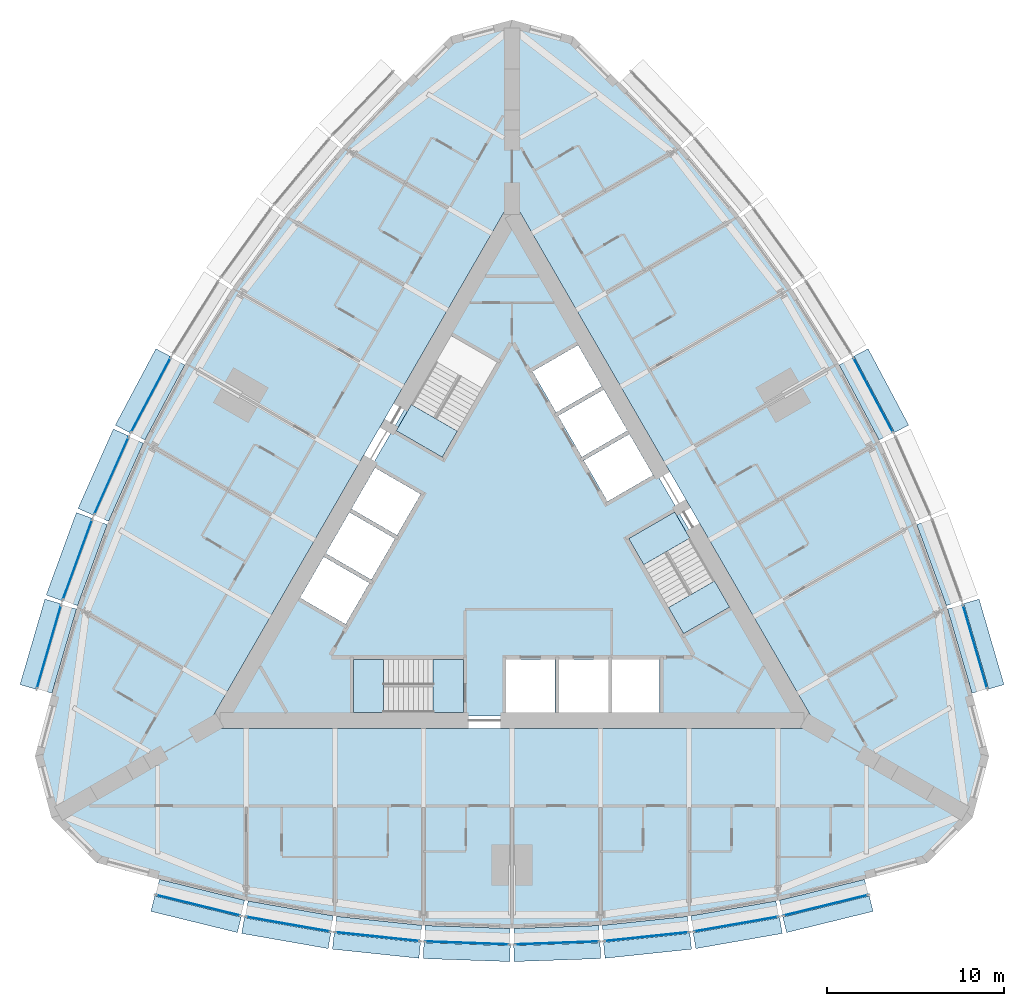
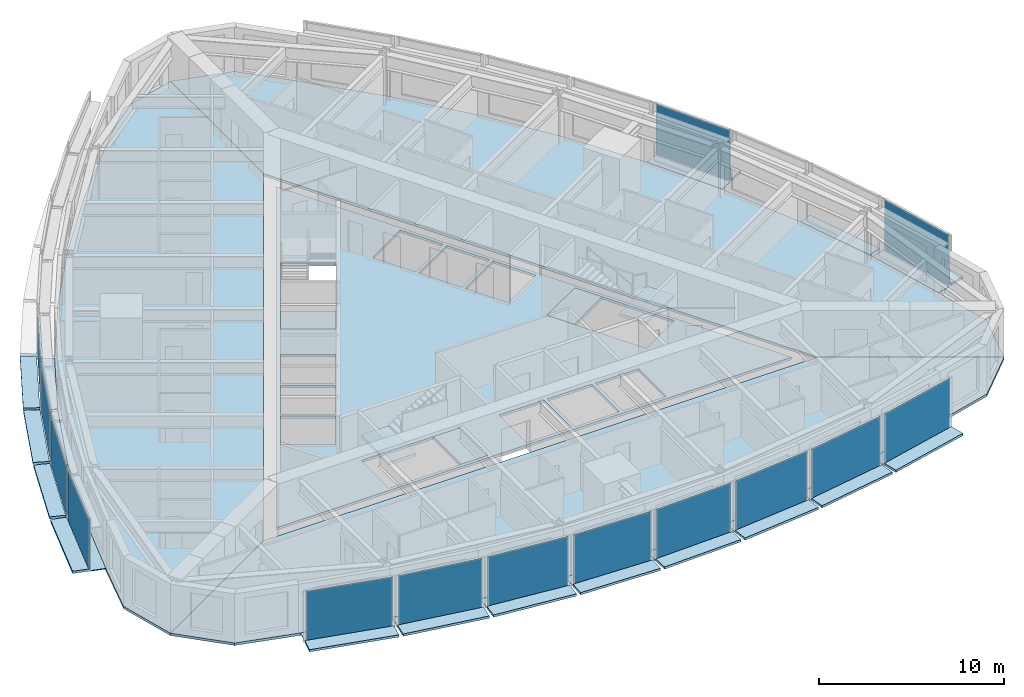
# One storey, part 6 of 14: 43 plates, 9 slabs, 17 elements without a shape of their own.
"""IFC4 building model written with IfcOpenShell, lengths in metres."""

from ifc_helpers import new_model, si_unit, direction, frame, origin, origin_2d, place, context, subcontext, project, spatial, polyline, rectangle, outline, extrude, material, layer, layer_set, type_object, element, aggregate, save


model = new_model("IFC4")

# Units and contexts
model_context = context("Model", 3, precision=1e-05, world=origin(), true_north=direction((0.0, 1.0)))
body_context = subcontext(model_context, "Body", "Model", "MODEL_VIEW")
ifc_project = project(units=[si_unit("LENGTHUNIT", "METRE"), si_unit("AREAUNIT", "SQUARE_METRE"), si_unit("VOLUMEUNIT", "CUBIC_METRE"), si_unit("PLANEANGLEUNIT", "RADIAN"), si_unit("MASSUNIT", "GRAM", prefix="KILO")], contexts=[model_context])

# Site, building, storey
site_placement = place(None, origin())
site = spatial("IfcSite", under=ifc_project, at=site_placement, CompositionType="ELEMENT")
building_placement = place(site_placement, origin())
building = spatial("IfcBuilding", under=site, at=building_placement, Name="Trikona Tower", CompositionType="ELEMENT")
storey_placement = place(building_placement, frame((0.0, 0.0, 145.300048828125)))
storey = spatial("IfcBuildingStorey", under=building, at=storey_placement, Name="L38", CompositionType="ELEMENT", Elevation=145.300048828125)

# Plates
ifc_material_1 = material(Name="Aluminium bar grating", Category="aluminium")
ifc_layer_1 = layer(ifc_material_1, 0.050048828125)
ifc_layer_set_1 = layer_set([ifc_layer_1], Name="Cavity catwalk grating")
plate_type_1 = type_object("IfcPlateType", Name="Cavity catwalk grating", PredefinedType="USERDEFINED", material=ifc_layer_set_1)
plate_1_placement = place(storey_placement, frame((-17.598876953125, -19.49072265625, -0.05029296875), z_axis=(0.0, 0.0, 1.0), x_axis=(0.971274411564, -0.237962218516, 0.0)))
element("IfcPlate", 1, at=plate_1_placement, inside=storey, type_object=plate_type_1, Name="Cavity catwalk L38-00", ObjectType="CATWALK GRATING", PredefinedType="USERDEFINED", context=body_context, shape_type="SweptSolid", body=[
    extrude(rectangle(XDim=4.947998046875, YDim=0.830078125, at=origin_2d()), origin(), (0.0, 0.0, 1.0), 0.050048828125),
])
plate_2_placement = place(storey_placement, frame((-12.571533203125, -20.54638671875, -0.05029296875), z_axis=(0.0, 0.0, 1.0), x_axis=(0.985030604067, -0.172379549401, 0.0)))
element("IfcPlate", 2, at=plate_2_placement, inside=storey, type_object=plate_type_1, Name="Cavity catwalk L38-01", ObjectType="CATWALK GRATING", PredefinedType="USERDEFINED", context=body_context, shape_type="SweptSolid", body=[
    extrude(rectangle(XDim=4.8759765625, YDim=0.830078125, at=origin_2d()), origin(), (0.0, 0.0, 1.0), 0.050048828125),
])
plate_3_placement = place(storey_placement, frame((-7.543212890625, -21.25048828125, -0.05029296875), z_axis=(0.0, 0.0, 1.0), x_axis=(0.994532653854, -0.104426052392, 0.0)))
element("IfcPlate", 3, at=plate_3_placement, inside=storey, type_object=plate_type_1, Name="Cavity catwalk L38-02", ObjectType="CATWALK GRATING", PredefinedType="USERDEFINED", context=body_context, shape_type="SweptSolid", body=[
    extrude(rectangle(XDim=4.827392578125, YDim=0.830078125, at=origin_2d()), origin(), (0.0, 0.0, 1.0), 0.050048828125),
])
for number, where, z_axis, x_axis, name in (
    (4, (-2.514404296875, -21.602294921875, -0.05029296875), (0.0, 0.0, 1.0), (0.999388082937, -0.034977988567, 0.0), "Cavity catwalk L38-03"),
    (5, (2.514404296875, -21.602294921875, -0.05029296875), (0.0, 0.0, 1.0), (0.999388082937, 0.034977988567, 0.0), "Cavity catwalk L38-04"),
):
    element("IfcPlate", number, at=place(storey_placement, frame(where, z_axis=z_axis, x_axis=x_axis)), inside=storey, type_object=plate_type_1, Name=name, ObjectType="CATWALK GRATING", PredefinedType="USERDEFINED", context=body_context, shape_type="SweptSolid", body=[
        extrude(rectangle(XDim=4.802978515625, YDim=0.830078125, at=origin_2d()), origin(), (0.0, 0.0, 1.0), 0.050048828125),
    ])
plate_4_placement = place(storey_placement, frame((7.543212890625, -21.25048828125, -0.05029296875), z_axis=(0.0, 0.0, 1.0), x_axis=(0.994532653854, 0.104426052392, 0.0)))
element("IfcPlate", 6, at=plate_4_placement, inside=storey, type_object=plate_type_1, Name="Cavity catwalk L38-05", ObjectType="CATWALK GRATING", PredefinedType="USERDEFINED", context=body_context, shape_type="SweptSolid", body=[
    extrude(rectangle(XDim=4.827392578125, YDim=0.830078125, at=origin_2d()), origin(), (0.0, 0.0, 1.0), 0.050048828125),
])
plate_5_placement = place(storey_placement, frame((12.571533203125, -20.54638671875, -0.05029296875), z_axis=(0.0, 0.0, 1.0), x_axis=(0.985030604067, 0.172379549401, 0.0)))
element("IfcPlate", 7, at=plate_5_placement, inside=storey, type_object=plate_type_1, Name="Cavity catwalk L38-06", ObjectType="CATWALK GRATING", PredefinedType="USERDEFINED", context=body_context, shape_type="SweptSolid", body=[
    extrude(rectangle(XDim=4.8759765625, YDim=0.830078125, at=origin_2d()), origin(), (0.0, 0.0, 1.0), 0.050048828125),
])
plate_6_placement = place(storey_placement, frame((17.598876953125, -19.49072265625, -0.05029296875), z_axis=(0.0, 0.0, 1.0), x_axis=(0.971274411564, 0.237962218516, 0.0)))
element("IfcPlate", 8, at=plate_6_placement, inside=storey, type_object=plate_type_1, Name="Cavity catwalk L38-07", ObjectType="CATWALK GRATING", PredefinedType="USERDEFINED", context=body_context, shape_type="SweptSolid", body=[
    extrude(rectangle(XDim=4.947998046875, YDim=0.830078125, at=origin_2d()), origin(), (0.0, 0.0, 1.0), 0.050048828125),
])
plate_7_placement = place(storey_placement, frame((25.678955078125, -5.49560546875, -0.05029296875), z_axis=(0.0, 0.0, 1.0), x_axis=(-0.279554203664, 0.960129911634, 0.0)))
element("IfcPlate", 9, at=plate_7_placement, inside=storey, type_object=plate_type_1, Name="Cavity catwalk L38-12", ObjectType="CATWALK GRATING", PredefinedType="USERDEFINED", context=body_context, shape_type="SweptSolid", body=[
    extrude(rectangle(XDim=4.94775390625, YDim=0.830078125, at=origin_2d()), origin(), (0.0, 0.0, 1.0), 0.050048828125),
])
plate_8_placement = place(storey_placement, frame((24.07958984375, -0.614013671875, -0.05029296875), z_axis=(0.0, 0.0, 1.0), x_axis=(-0.343220397324, 0.939254895575, 0.0)))
element("IfcPlate", 10, at=plate_8_placement, inside=storey, type_object=plate_type_1, Name="Cavity catwalk L38-13", ObjectType="CATWALK GRATING", PredefinedType="USERDEFINED", context=body_context, shape_type="SweptSolid", body=[
    extrude(rectangle(XDim=4.8759765625, YDim=0.830078125, at=origin_2d()), origin(), (0.0, 0.0, 1.0), 0.050048828125),
])
for number, where, z_axis, x_axis, name in (
    (11, (19.965576171875, 8.62353515625, -0.05029296875), (0.0, 0.0, 1.0), (-0.469397591494, 0.882986920118, 0.0), "Cavity catwalk L38-15"),
    (12, (-19.965576171875, 8.62353515625, -0.05029296875), (0.0, 0.0, 1.0), (-0.469397591494, -0.882986920118, 0.0), "Cavity catwalk L38-28"),
):
    element("IfcPlate", number, at=place(storey_placement, frame(where, z_axis=z_axis, x_axis=x_axis)), inside=storey, type_object=plate_type_1, Name=name, ObjectType="CATWALK GRATING", PredefinedType="USERDEFINED", context=body_context, shape_type="SweptSolid", body=[
        extrude(rectangle(XDim=4.802978515625, YDim=0.830078125, at=origin_2d()), origin(), (0.0, 0.0, 1.0), 0.050048828125),
    ])
plate_9_placement = place(storey_placement, frame((-22.175048828125, 4.092529296875, -0.05029296875), z_axis=(0.0, 0.0, 1.0), x_axis=(-0.406843467615, -0.913497888809, 0.0)))
element("IfcPlate", 13, at=plate_9_placement, inside=storey, type_object=plate_type_1, Name="Cavity catwalk L38-29", ObjectType="CATWALK GRATING", PredefinedType="USERDEFINED", context=body_context, shape_type="SweptSolid", body=[
    extrude(rectangle(XDim=4.827392578125, YDim=0.830078125, at=origin_2d()), origin(), (0.0, 0.0, 1.0), 0.050048828125),
])
plate_10_placement = place(storey_placement, frame((-24.07958984375, -0.614013671875, -0.05029296875), z_axis=(0.0, 0.0, 1.0), x_axis=(-0.343220397324, -0.939254895575, 0.0)))
element("IfcPlate", 14, at=plate_10_placement, inside=storey, type_object=plate_type_1, Name="Cavity catwalk L38-30", ObjectType="CATWALK GRATING", PredefinedType="USERDEFINED", context=body_context, shape_type="SweptSolid", body=[
    extrude(rectangle(XDim=4.8759765625, YDim=0.830078125, at=origin_2d()), origin(), (0.0, 0.0, 1.0), 0.050048828125),
])
plate_11_placement = place(storey_placement, frame((-25.678955078125, -5.49560546875, -0.05029296875), z_axis=(0.0, 0.0, 1.0), x_axis=(-0.279554203664, -0.960129911634, 0.0)))
element("IfcPlate", 15, at=plate_11_placement, inside=storey, type_object=plate_type_1, Name="Cavity catwalk L38-31", ObjectType="CATWALK GRATING", PredefinedType="USERDEFINED", context=body_context, shape_type="SweptSolid", body=[
    extrude(rectangle(XDim=4.94775390625, YDim=0.830078125, at=origin_2d()), origin(), (0.0, 0.0, 1.0), 0.050048828125),
])

# Slabs
ifc_material_2 = material(Name="Concrete f'c 5000 psi lightweight on composite steel deck", Category="concrete")
ifc_layer_2 = layer(ifc_material_2, 0.1650390625)
ifc_layer_set_2 = layer_set([ifc_layer_2], Name="Composite floor slab 165")
slab_type_1 = type_object("IfcSlabType", Name="Composite floor slab 165", PredefinedType="FLOOR", material=ifc_layer_set_2)
slab_1_placement = place(storey_placement, frame((0.0, 0.0, -0.1650390625)))
element("IfcSlab", 16, at=slab_1_placement, inside=storey, type_object=slab_type_1, Name="Floor slab L38 core", PredefinedType="FLOOR", context=body_context, shape_type="SweptSolid", body=[
    extrude(outline(polyline([(-16.06689453125, -9.2763671875), (16.06689453125, -9.2763671875), (0.0, 18.552490234375), (-16.06689453125, -9.2763671875)]), holes=[polyline([(12.285400390625, -3.126220703125), (9.185302734375, 2.2431640625), (6.587158203125, 0.7431640625), (9.687255859375, -4.626220703125), (12.285400390625, -3.126220703125)]), polyline([(8.340087890625, -9.06640625), (8.340087890625, -6.086181640625), (5.659912109375, -6.086181640625), (5.659912109375, -9.06640625), (8.340087890625, -9.06640625)]), polyline([(5.390869140625, 2.835205078125), (7.9716796875, 4.3251953125), (6.631591796875, 6.646240234375), (4.05078125, 5.15625), (5.390869140625, 2.835205078125)]), polyline([(2.600830078125, 7.667724609375), (3.94091796875, 5.3466796875), (6.521484375, 6.8369140625), (5.181640625, 9.15771484375), (2.600830078125, 7.667724609375)]), polyline([(5.43994140625, -6.086181640625), (2.659912109375, -6.086181640625), (2.659912109375, -9.06640625), (5.43994140625, -9.06640625), (5.43994140625, -6.086181640625)]), polyline([(3.731689453125, 11.669189453125), (1.15087890625, 10.17919921875), (2.490966796875, 7.858154296875), (5.071533203125, 9.34814453125), (3.731689453125, 11.669189453125)]), polyline([(-0.340087890625, -6.086181640625), (-0.340087890625, -9.06640625), (2.43994140625, -9.06640625), (2.43994140625, -6.086181640625), (-0.340087890625, -6.086181640625)]), polyline([(-3.435302734375, 12.202392578125), (-6.535400390625, 6.8330078125), (-3.937255859375, 5.3330078125), (-0.837158203125, 10.702392578125), (-3.435302734375, 12.202392578125)]), polyline([(-8.949951171875, -9.076416015625), (-2.75, -9.076416015625), (-2.75, -6.076416015625), (-8.949951171875, -6.076416015625), (-8.949951171875, -9.076416015625)]), polyline([(-5.15087890625, 3.2509765625), (-7.731689453125, 4.740966796875), (-9.071533203125, 2.419921875), (-6.490966796875, 0.929931640625), (-5.15087890625, 3.2509765625)]), polyline([(-7.94091796875, -1.581298828125), (-6.600830078125, 0.739501953125), (-9.181640625, 2.2294921875), (-10.521484375, -0.09130859375), (-7.94091796875, -1.581298828125)]), polyline([(-11.9716796875, -2.602783203125), (-9.390869140625, -4.093017578125), (-8.05078125, -1.77197265625), (-10.631591796875, -0.281982421875), (-11.9716796875, -2.602783203125)])]), origin(), (0.0, 0.0, 1.0), 0.1650390625),
])
slab_2_placement = place(storey_placement, frame((0.0, 0.0, -0.1650390625)))
element("IfcSlab", 17, at=slab_2_placement, inside=storey, type_object=slab_type_1, Name="Floor slab L38 south", PredefinedType="FLOOR", context=body_context, shape_type="SweptSolid", body=[
    extrude(outline(polyline([(23.464111328125, -17.547119140625), (26.0, -15.010986328125), (17.279296875, -9.976318359375), (-17.279296875, -9.976318359375), (-26.0, -15.010986328125), (-23.464111328125, -17.547119140625), (-20.0, -18.47509765625), (-15.0, -19.7001953125), (-10.0, -20.5751953125), (-5.0, -21.10009765625), (0.0, -21.275146484375), (5.0, -21.10009765625), (10.0, -20.5751953125), (15.0, -19.7001953125), (20.0, -18.47509765625), (23.464111328125, -17.547119140625)])), origin(), (0.0, 0.0, 1.0), 0.1650390625),
])
slab_3_placement = place(storey_placement, frame((0.0, 0.0, -0.1650390625)))
element("IfcSlab", 18, at=slab_3_placement, inside=storey, type_object=slab_type_1, Name="Floor slab L38 north-east", PredefinedType="FLOOR", context=body_context, shape_type="SweptSolid", body=[
    extrude(outline(polyline([(3.464111328125, 29.093994140625), (0.0, 30.022216796875), (0.0, 19.95263671875), (17.279296875, -9.976318359375), (26.0, -15.010986328125), (26.92822265625, -11.547119140625), (26.0, -8.0830078125), (24.560791015625, -3.140380859375), (22.818603515625, 1.62744140625), (20.773193359375, 6.219970703125), (18.4248046875, 10.6376953125), (15.773193359375, 14.880126953125), (12.818603515625, 18.947998046875), (9.560791015625, 22.840576171875), (6.0, 26.55810546875), (3.464111328125, 29.093994140625)])), origin(), (0.0, 0.0, 1.0), 0.1650390625),
])
slab_4_placement = place(storey_placement, frame((0.0, 0.0, -0.1650390625)))
element("IfcSlab", 19, at=slab_4_placement, inside=storey, type_object=slab_type_1, Name="Floor slab L38 north-west", PredefinedType="FLOOR", context=body_context, shape_type="SweptSolid", body=[
    extrude(outline(polyline([(0.0, 19.95263671875), (0.0, 30.022216796875), (-3.464111328125, 29.093994140625), (-6.0, 26.55810546875), (-9.560791015625, 22.840576171875), (-12.818603515625, 18.947998046875), (-15.773193359375, 14.880126953125), (-18.4248046875, 10.6376953125), (-20.773193359375, 6.219970703125), (-22.818603515625, 1.62744140625), (-24.560791015625, -3.140380859375), (-26.0, -8.0830078125), (-26.92822265625, -11.547119140625), (-26.0, -15.010986328125), (-17.279296875, -9.976318359375), (0.0, 19.95263671875)])), origin(), (0.0, 0.0, 1.0), 0.1650390625),
])

# Curtain wall, plate
ifc_material_3 = material(Name="Aluminium curtain wall system", Category="aluminium")
curtain_wall_type = type_object("IfcCurtainWallType", Name="Curtain wall DS2", PredefinedType="NOTDEFINED", material=ifc_material_3)
curtain_wall_1_placement = place(storey_placement, origin())
curtain_wall_1 = element("IfcCurtainWall", 20, at=curtain_wall_1_placement, inside=storey, type_object=curtain_wall_type, Name="Curtain wall DS2 L38", PredefinedType="NOTDEFINED")
ifc_material_4 = material(Name="Laminated clear glass", Category="glass")
ifc_layer_3 = layer(ifc_material_4, 0.028076171875)
ifc_layer_set_3 = layer_set([ifc_layer_3], Name="Glass panel DS2")
plate_type_2 = type_object("IfcPlateType", Name="Glass panel DS2", PredefinedType="CURTAIN_PANEL", material=ifc_layer_set_3)
plate_12_placement = place(storey_placement, frame((-17.714111328125, -19.9619140625, 0.0), z_axis=(0.0, 0.0, 1.0), x_axis=(0.971272455026, -0.237970204243, 0.0)))
plate_12 = element("IfcPlate", 21, at=plate_12_placement, type_object=plate_type_2, Name="CW-DS2 panel 1.1", PredefinedType="CURTAIN_PANEL", context=body_context, shape_type="SweptSolid", body=[
    extrude(rectangle(XDim=4.867919921875, YDim=0.028076171875, at=origin_2d()), origin(), (0.0, 0.0, 1.0), 3.320068359375),
])
aggregate(curtain_wall_1, [plate_12])

curtain_wall_2_placement = place(storey_placement, origin())
curtain_wall_2 = element("IfcCurtainWall", 22, at=curtain_wall_2_placement, inside=storey, type_object=curtain_wall_type, Name="Curtain wall DS2 L38", PredefinedType="NOTDEFINED")
plate_13_placement = place(storey_placement, frame((-12.655029296875, -21.024169921875, 0.0), z_axis=(0.0, 0.0, 1.0), x_axis=(0.985030981074, -0.17237739505, 0.0)))
plate_13 = element("IfcPlate", 23, at=plate_13_placement, type_object=plate_type_2, Name="CW-DS2 panel 1.1", PredefinedType="CURTAIN_PANEL", context=body_context, shape_type="SweptSolid", body=[
    extrude(rectangle(XDim=4.7958984375, YDim=0.028076171875, at=origin_2d()), origin(), (0.0, 0.0, 1.0), 3.320068359375),
])
aggregate(curtain_wall_2, [plate_13])

curtain_wall_3_placement = place(storey_placement, origin())
curtain_wall_3 = element("IfcCurtainWall", 24, at=curtain_wall_3_placement, inside=storey, type_object=curtain_wall_type, Name="Curtain wall DS2 L38", PredefinedType="NOTDEFINED")
plate_14_placement = place(storey_placement, frame((-7.593994140625, -21.732666015625, 0.0), z_axis=(0.0, 0.0, 1.0), x_axis=(0.994531883654, -0.104433387357, 0.0)))
plate_14 = element("IfcPlate", 25, at=plate_14_placement, type_object=plate_type_2, Name="CW-DS2 panel 1.1", PredefinedType="CURTAIN_PANEL", context=body_context, shape_type="SweptSolid", body=[
    extrude(rectangle(XDim=4.747314453125, YDim=0.028076171875, at=origin_2d()), origin(), (0.0, 0.0, 1.0), 3.320068359375),
])
aggregate(curtain_wall_3, [plate_14])

curtain_wall_4_placement = place(storey_placement, origin())
curtain_wall_4 = element("IfcCurtainWall", 26, at=curtain_wall_4_placement, inside=storey, type_object=curtain_wall_type, Name="Curtain wall DS2 L38", PredefinedType="NOTDEFINED")
plate_15_placement = place(storey_placement, frame((-2.531494140625, -22.087158203125, 0.0), z_axis=(0.0, 0.0, 1.0), x_axis=(0.99938737114, -0.034998320052, 0.0)))
plate_15 = element("IfcPlate", 27, at=plate_15_placement, type_object=plate_type_2, Name="CW-DS2 panel 1.1", PredefinedType="CURTAIN_PANEL", context=body_context, shape_type="SweptSolid", body=[
    extrude(rectangle(XDim=4.72314453125, YDim=0.028076171875, at=origin_2d()), origin(), (0.0, 0.0, 1.0), 3.320068359375),
])
aggregate(curtain_wall_4, [plate_15])

curtain_wall_5_placement = place(storey_placement, origin())
curtain_wall_5 = element("IfcCurtainWall", 28, at=curtain_wall_5_placement, inside=storey, type_object=curtain_wall_type, Name="Curtain wall DS2 L38", PredefinedType="NOTDEFINED")
plate_16_placement = place(storey_placement, frame((2.531494140625, -22.087158203125, 0.0), z_axis=(0.0, 0.0, 1.0), x_axis=(0.99938737114, 0.034998320052, 0.0)))
plate_16 = element("IfcPlate", 29, at=plate_16_placement, type_object=plate_type_2, Name="CW-DS2 panel 1.1", PredefinedType="CURTAIN_PANEL", context=body_context, shape_type="SweptSolid", body=[
    extrude(rectangle(XDim=4.72314453125, YDim=0.028076171875, at=origin_2d()), origin(), (0.0, 0.0, 1.0), 3.320068359375),
])
aggregate(curtain_wall_5, [plate_16])

curtain_wall_6_placement = place(storey_placement, origin())
curtain_wall_6 = element("IfcCurtainWall", 30, at=curtain_wall_6_placement, inside=storey, type_object=curtain_wall_type, Name="Curtain wall DS2 L38", PredefinedType="NOTDEFINED")
plate_17_placement = place(storey_placement, frame((7.593994140625, -21.732666015625, 0.0), z_axis=(0.0, 0.0, 1.0), x_axis=(0.994531883654, 0.104433387357, 0.0)))
plate_17 = element("IfcPlate", 31, at=plate_17_placement, type_object=plate_type_2, Name="CW-DS2 panel 1.1", PredefinedType="CURTAIN_PANEL", context=body_context, shape_type="SweptSolid", body=[
    extrude(rectangle(XDim=4.747314453125, YDim=0.028076171875, at=origin_2d()), origin(), (0.0, 0.0, 1.0), 3.320068359375),
])
aggregate(curtain_wall_6, [plate_17])

curtain_wall_7_placement = place(storey_placement, origin())
curtain_wall_7 = element("IfcCurtainWall", 32, at=curtain_wall_7_placement, inside=storey, type_object=curtain_wall_type, Name="Curtain wall DS2 L38", PredefinedType="NOTDEFINED")
plate_18_placement = place(storey_placement, frame((12.655029296875, -21.024169921875, 0.0), z_axis=(0.0, 0.0, 1.0), x_axis=(0.985030981074, 0.17237739505, 0.0)))
plate_18 = element("IfcPlate", 33, at=plate_18_placement, type_object=plate_type_2, Name="CW-DS2 panel 1.1", PredefinedType="CURTAIN_PANEL", context=body_context, shape_type="SweptSolid", body=[
    extrude(rectangle(XDim=4.7958984375, YDim=0.028076171875, at=origin_2d()), origin(), (0.0, 0.0, 1.0), 3.320068359375),
])
aggregate(curtain_wall_7, [plate_18])

curtain_wall_8_placement = place(storey_placement, origin())
curtain_wall_8 = element("IfcCurtainWall", 34, at=curtain_wall_8_placement, inside=storey, type_object=curtain_wall_type, Name="Curtain wall DS2 L38", PredefinedType="NOTDEFINED")
plate_19_placement = place(storey_placement, frame((17.714111328125, -19.9619140625, 0.0), z_axis=(0.0, 0.0, 1.0), x_axis=(0.971272455026, 0.237970204243, 0.0)))
plate_19 = element("IfcPlate", 35, at=plate_19_placement, type_object=plate_type_2, Name="CW-DS2 panel 1.1", PredefinedType="CURTAIN_PANEL", context=body_context, shape_type="SweptSolid", body=[
    extrude(rectangle(XDim=4.867919921875, YDim=0.028076171875, at=origin_2d()), origin(), (0.0, 0.0, 1.0), 3.320068359375),
])
aggregate(curtain_wall_8, [plate_19])

curtain_wall_9_placement = place(storey_placement, origin())
curtain_wall_9 = element("IfcCurtainWall", 36, at=curtain_wall_9_placement, inside=storey, type_object=curtain_wall_type, Name="Curtain wall DS2 L38", PredefinedType="NOTDEFINED")
plate_20_placement = place(storey_placement, frame((26.14453125, -5.360107421875, 0.0), z_axis=(0.0, 0.0, 1.0), x_axis=(-0.279543247757, 0.96013310152, 0.0)))
plate_20 = element("IfcPlate", 37, at=plate_20_placement, type_object=plate_type_2, Name="CW-DS2 panel 1.1", PredefinedType="CURTAIN_PANEL", context=body_context, shape_type="SweptSolid", body=[
    extrude(rectangle(XDim=4.867919921875, YDim=0.028076171875, at=origin_2d()), origin(), (0.0, 0.0, 1.0), 3.320068359375),
])
aggregate(curtain_wall_9, [plate_20])

curtain_wall_10_placement = place(storey_placement, origin())
curtain_wall_10 = element("IfcCurtainWall", 38, at=curtain_wall_10_placement, inside=storey, type_object=curtain_wall_type, Name="Curtain wall DS2 L38", PredefinedType="NOTDEFINED")
plate_21_placement = place(storey_placement, frame((20.393798828125, 8.851318359375, 0.0), z_axis=(0.0, 0.0, 1.0), x_axis=(-0.469380308937, 0.882996107343, 0.0)))
plate_21 = element("IfcPlate", 39, at=plate_21_placement, type_object=plate_type_2, Name="CW-DS2 panel 1.1", PredefinedType="CURTAIN_PANEL", context=body_context, shape_type="SweptSolid", body=[
    extrude(rectangle(XDim=4.72314453125, YDim=0.028076171875, at=origin_2d()), origin(), (0.0, 0.0, 1.0), 3.320068359375),
])
aggregate(curtain_wall_10, [plate_21])

curtain_wall_11_placement = place(storey_placement, origin())
curtain_wall_11 = element("IfcCurtainWall", 40, at=curtain_wall_11_placement, inside=storey, type_object=curtain_wall_type, Name="Curtain wall DS2 L38", PredefinedType="NOTDEFINED")
plate_22_placement = place(storey_placement, frame((-20.393798828125, 8.851318359375, 0.0), z_axis=(0.0, 0.0, 1.0), x_axis=(-0.469380308937, -0.882996107343, 0.0)))
plate_22 = element("IfcPlate", 41, at=plate_22_placement, type_object=plate_type_2, Name="CW-DS2 panel 1.1", PredefinedType="CURTAIN_PANEL", context=body_context, shape_type="SweptSolid", body=[
    extrude(rectangle(XDim=4.72314453125, YDim=0.028076171875, at=origin_2d()), origin(), (0.0, 0.0, 1.0), 3.320068359375),
])
aggregate(curtain_wall_11, [plate_22])

curtain_wall_12_placement = place(storey_placement, origin())
curtain_wall_12 = element("IfcCurtainWall", 42, at=curtain_wall_12_placement, inside=storey, type_object=curtain_wall_type, Name="Curtain wall DS2 L38", PredefinedType="NOTDEFINED")
plate_23_placement = place(storey_placement, frame((-22.6181640625, 4.289794921875, 0.0), z_axis=(0.0, 0.0, 1.0), x_axis=(-0.406836013132, -0.913501208767, 0.0)))
plate_23 = element("IfcPlate", 43, at=plate_23_placement, type_object=plate_type_2, Name="CW-DS2 panel 1.1", PredefinedType="CURTAIN_PANEL", context=body_context, shape_type="SweptSolid", body=[
    extrude(rectangle(XDim=4.747314453125, YDim=0.028076171875, at=origin_2d()), origin(), (0.0, 0.0, 1.0), 3.320068359375),
])
aggregate(curtain_wall_12, [plate_23])

curtain_wall_13_placement = place(storey_placement, origin())
curtain_wall_13 = element("IfcCurtainWall", 44, at=curtain_wall_13_placement, inside=storey, type_object=curtain_wall_type, Name="Curtain wall DS2 L38", PredefinedType="NOTDEFINED")
plate_24_placement = place(storey_placement, frame((-24.53515625, -0.447509765625, 0.0), z_axis=(0.0, 0.0, 1.0), x_axis=(-0.343223420143, -0.939253790978, 0.0)))
plate_24 = element("IfcPlate", 45, at=plate_24_placement, type_object=plate_type_2, Name="CW-DS2 panel 1.1", PredefinedType="CURTAIN_PANEL", context=body_context, shape_type="SweptSolid", body=[
    extrude(rectangle(XDim=4.7958984375, YDim=0.028076171875, at=origin_2d()), origin(), (0.0, 0.0, 1.0), 3.320068359375),
])
aggregate(curtain_wall_13, [plate_24])

curtain_wall_14_placement = place(storey_placement, origin())
curtain_wall_14 = element("IfcCurtainWall", 46, at=curtain_wall_14_placement, inside=storey, type_object=curtain_wall_type, Name="Curtain wall DS2 L38", PredefinedType="NOTDEFINED")
plate_25_placement = place(storey_placement, frame((-26.14453125, -5.360107421875, 0.0), z_axis=(0.0, 0.0, 1.0), x_axis=(-0.279543247757, -0.96013310152, 0.0)))
plate_25 = element("IfcPlate", 47, at=plate_25_placement, type_object=plate_type_2, Name="CW-DS2 panel 1.1", PredefinedType="CURTAIN_PANEL", context=body_context, shape_type="SweptSolid", body=[
    extrude(rectangle(XDim=4.867919921875, YDim=0.028076171875, at=origin_2d()), origin(), (0.0, 0.0, 1.0), 3.320068359375),
])
aggregate(curtain_wall_14, [plate_25])

# Plates
ifc_material_5 = material(Name="Aluminium plate fin, pale anodised, on stainless steel outriggers", Category="steel")
ifc_layer_4 = layer(ifc_material_5, 0.14990234375)
ifc_layer_set_4 = layer_set([ifc_layer_4], Name="Outer skin fin 900")
plate_type_3 = type_object("IfcPlateType", Name="Outer skin fin 900", PredefinedType="USERDEFINED", material=ifc_layer_set_4)
plate_26_placement = place(storey_placement, frame((-17.837890625, -20.466796875, 0.0), z_axis=(0.0, 0.0, 1.0), x_axis=(0.971274411564, -0.237962218516, 0.0)))
element("IfcPlate", 48, at=plate_26_placement, inside=storey, type_object=plate_type_3, Name="Outer skin fin L38-00", ObjectType="FIN", PredefinedType="USERDEFINED", context=body_context, shape_type="SweptSolid", body=[
    extrude(rectangle(XDim=5.02783203125, YDim=0.89990234375, at=origin_2d()), origin(), (0.0, 0.0, 1.0), 0.14990234375),
])
plate_27_placement = place(storey_placement, frame((-12.744873046875, -21.536376953125, 0.0), z_axis=(0.0, 0.0, 1.0), x_axis=(0.985030604067, -0.172379549401, 0.0)))
element("IfcPlate", 49, at=plate_27_placement, inside=storey, type_object=plate_type_3, Name="Outer skin fin L38-01", ObjectType="FIN", PredefinedType="USERDEFINED", context=body_context, shape_type="SweptSolid", body=[
    extrude(rectangle(XDim=4.9560546875, YDim=0.89990234375, at=origin_2d()), origin(), (0.0, 0.0, 1.0), 0.14990234375),
])
plate_28_placement = place(storey_placement, frame((-7.648193359375, -22.25, 0.0), z_axis=(0.0, 0.0, 1.0), x_axis=(0.994532653854, -0.104426052392, 0.0)))
element("IfcPlate", 50, at=plate_28_placement, inside=storey, type_object=plate_type_3, Name="Outer skin fin L38-02", ObjectType="FIN", PredefinedType="USERDEFINED", context=body_context, shape_type="SweptSolid", body=[
    extrude(rectangle(XDim=4.907470703125, YDim=0.89990234375, at=origin_2d()), origin(), (0.0, 0.0, 1.0), 0.14990234375),
])
for number, where, z_axis, x_axis, name in (
    (51, (-2.5498046875, -22.606689453125, 0.0), (0.0, 0.0, 1.0), (0.999388082937, -0.034977988567, 0.0), "Outer skin fin L38-03"),
    (52, (2.5498046875, -22.606689453125, 0.0), (0.0, 0.0, 1.0), (0.999388082937, 0.034977988567, 0.0), "Outer skin fin L38-04"),
):
    element("IfcPlate", number, at=place(storey_placement, frame(where, z_axis=z_axis, x_axis=x_axis)), inside=storey, type_object=plate_type_3, Name=name, ObjectType="FIN", PredefinedType="USERDEFINED", context=body_context, shape_type="SweptSolid", body=[
        extrude(rectangle(XDim=4.883056640625, YDim=0.89990234375, at=origin_2d()), origin(), (0.0, 0.0, 1.0), 0.14990234375),
    ])
plate_29_placement = place(storey_placement, frame((7.648193359375, -22.25, 0.0), z_axis=(0.0, 0.0, 1.0), x_axis=(0.994532653854, 0.104426052392, 0.0)))
element("IfcPlate", 53, at=plate_29_placement, inside=storey, type_object=plate_type_3, Name="Outer skin fin L38-05", ObjectType="FIN", PredefinedType="USERDEFINED", context=body_context, shape_type="SweptSolid", body=[
    extrude(rectangle(XDim=4.907470703125, YDim=0.89990234375, at=origin_2d()), origin(), (0.0, 0.0, 1.0), 0.14990234375),
])
plate_30_placement = place(storey_placement, frame((12.744873046875, -21.536376953125, 0.0), z_axis=(0.0, 0.0, 1.0), x_axis=(0.985030604067, 0.172379549401, 0.0)))
element("IfcPlate", 54, at=plate_30_placement, inside=storey, type_object=plate_type_3, Name="Outer skin fin L38-06", ObjectType="FIN", PredefinedType="USERDEFINED", context=body_context, shape_type="SweptSolid", body=[
    extrude(rectangle(XDim=4.9560546875, YDim=0.89990234375, at=origin_2d()), origin(), (0.0, 0.0, 1.0), 0.14990234375),
])
for number, where, z_axis, x_axis, name in (
    (55, (17.837890625, -20.466796875, 0.0), (0.0, 0.0, 1.0), (0.971274411564, 0.237962218516, 0.0), "Outer skin fin L38-07"),
    (56, (26.643798828125, -5.214599609375, 0.0), (0.0, 0.0, 1.0), (-0.279554203664, 0.960129911634, 0.0), "Outer skin fin L38-12"),
):
    element("IfcPlate", number, at=place(storey_placement, frame(where, z_axis=z_axis, x_axis=x_axis)), inside=storey, type_object=plate_type_3, Name=name, ObjectType="FIN", PredefinedType="USERDEFINED", context=body_context, shape_type="SweptSolid", body=[
        extrude(rectangle(XDim=5.02783203125, YDim=0.89990234375, at=origin_2d()), origin(), (0.0, 0.0, 1.0), 0.14990234375),
    ])
for number, where, z_axis, x_axis, name in (
    (57, (20.852783203125, 9.09521484375, 0.0), (0.0, 0.0, 1.0), (-0.469397591494, 0.882986920118, 0.0), "Outer skin fin L38-15"),
    (58, (-20.852783203125, 9.09521484375, 0.0), (0.0, 0.0, 1.0), (-0.469397591494, -0.882986920118, 0.0), "Outer skin fin L38-28"),
):
    element("IfcPlate", number, at=place(storey_placement, frame(where, z_axis=z_axis, x_axis=x_axis)), inside=storey, type_object=plate_type_3, Name=name, ObjectType="FIN", PredefinedType="USERDEFINED", context=body_context, shape_type="SweptSolid", body=[
        extrude(rectangle(XDim=4.883056640625, YDim=0.89990234375, at=origin_2d()), origin(), (0.0, 0.0, 1.0), 0.14990234375),
    ])
plate_31_placement = place(storey_placement, frame((-23.09326171875, 4.50146484375, 0.0), z_axis=(0.0, 0.0, 1.0), x_axis=(-0.406843467615, -0.913497888809, 0.0)))
element("IfcPlate", 59, at=plate_31_placement, inside=storey, type_object=plate_type_3, Name="Outer skin fin L38-29", ObjectType="FIN", PredefinedType="USERDEFINED", context=body_context, shape_type="SweptSolid", body=[
    extrude(rectangle(XDim=4.907470703125, YDim=0.89990234375, at=origin_2d()), origin(), (0.0, 0.0, 1.0), 0.14990234375),
])
plate_32_placement = place(storey_placement, frame((-25.0234375, -0.26904296875, 0.0), z_axis=(0.0, 0.0, 1.0), x_axis=(-0.343220397324, -0.939254895575, 0.0)))
element("IfcPlate", 60, at=plate_32_placement, inside=storey, type_object=plate_type_3, Name="Outer skin fin L38-30", ObjectType="FIN", PredefinedType="USERDEFINED", context=body_context, shape_type="SweptSolid", body=[
    extrude(rectangle(XDim=4.9560546875, YDim=0.89990234375, at=origin_2d()), origin(), (0.0, 0.0, 1.0), 0.14990234375),
])
plate_33_placement = place(storey_placement, frame((-26.643798828125, -5.214599609375, 0.0), z_axis=(0.0, 0.0, 1.0), x_axis=(-0.279554203664, -0.960129911634, 0.0)))
element("IfcPlate", 61, at=plate_33_placement, inside=storey, type_object=plate_type_3, Name="Outer skin fin L38-31", ObjectType="FIN", PredefinedType="USERDEFINED", context=body_context, shape_type="SweptSolid", body=[
    extrude(rectangle(XDim=5.02783203125, YDim=0.89990234375, at=origin_2d()), origin(), (0.0, 0.0, 1.0), 0.14990234375),
])

# Stair, slabs
ifc_material_6 = material(Name="Concrete f'c 5000 psi", Category="concrete")
stair_type = type_object("IfcStairType", Name="Core stair", PredefinedType="HALF_TURN_STAIR", material=ifc_material_6)
stair_1_placement = place(storey_placement, origin())
stair_1 = element("IfcStair", 62, at=stair_1_placement, inside=storey, type_object=stair_type, Name="Stair A L38", PredefinedType="HALF_TURN_STAIR")
ifc_material_7 = material(Name="Concrete f'c 5000 psi", Category="concrete")
ifc_layer_5 = layer(ifc_material_7, 0.199951171875)
ifc_layer_set_5 = layer_set([ifc_layer_5], Name="Stair landing 200")
slab_type_2 = type_object("IfcSlabType", Name="Stair landing 200", PredefinedType="LANDING", material=ifc_layer_set_5)
slab_5_placement = place(storey_placement, frame((0.0, 0.0, -0.199951171875)))
slab_5 = element("IfcSlab", 63, at=slab_5_placement, type_object=slab_type_2, Name="ST-A landing 1", PredefinedType="LANDING", context=body_context, shape_type="SweptSolid", body=[
    extrude(outline(polyline([(-4.452880859375, -6.076416015625), (-2.75, -6.076416015625), (-2.75, -9.076416015625), (-4.452880859375, -9.076416015625), (-4.452880859375, -6.076416015625)])), origin(), (0.0, 0.0, 1.0), 0.199951171875),
])
slab_6_placement = place(storey_placement, frame((0.0, 0.0, 1.5)))
slab_6 = element("IfcSlab", 64, at=slab_6_placement, type_object=slab_type_2, Name="ST-A landing 2", PredefinedType="LANDING", context=body_context, shape_type="SweptSolid", body=[
    extrude(outline(polyline([(-8.949951171875, -6.076416015625), (-7.2470703125, -6.076416015625), (-7.2470703125, -9.076416015625), (-8.949951171875, -9.076416015625), (-8.949951171875, -6.076416015625)])), origin(), (0.0, 0.0, 1.0), 0.199951171875),
])
aggregate(stair_1, [slab_5, slab_6])

stair_2_placement = place(storey_placement, origin())
stair_2 = element("IfcStair", 65, at=stair_2_placement, inside=storey, type_object=stair_type, Name="Stair B L38", PredefinedType="HALF_TURN_STAIR")
slab_7_placement = place(storey_placement, frame((0.0, 0.0, -0.199951171875)))
slab_7 = element("IfcSlab", 66, at=slab_7_placement, type_object=slab_type_2, Name="ST-B landing 1", PredefinedType="LANDING", context=body_context, shape_type="SweptSolid", body=[
    extrude(outline(polyline([(7.438720703125, -0.731689453125), (6.587158203125, 0.7431640625), (9.185302734375, 2.2431640625), (10.036865234375, 0.768310546875), (7.438720703125, -0.731689453125)])), origin(), (0.0, 0.0, 1.0), 0.199951171875),
])
slab_8_placement = place(storey_placement, frame((0.0, 0.0, 1.5)))
slab_8 = element("IfcSlab", 67, at=slab_8_placement, type_object=slab_type_2, Name="ST-B landing 2", PredefinedType="LANDING", context=body_context, shape_type="SweptSolid", body=[
    extrude(outline(polyline([(9.687255859375, -4.626220703125), (8.835693359375, -3.1513671875), (11.433837890625, -1.6513671875), (12.285400390625, -3.126220703125), (9.687255859375, -4.626220703125)])), origin(), (0.0, 0.0, 1.0), 0.199951171875),
])
aggregate(stair_2, [slab_7, slab_8])

# Stair, slab
stair_3_placement = place(storey_placement, origin())
stair_3 = element("IfcStair", 68, at=stair_3_placement, inside=storey, type_object=stair_type, Name="Stair C L38", PredefinedType="HALF_TURN_STAIR")
slab_9_placement = place(storey_placement, frame((0.0, 0.0, -0.199951171875)))
slab_9 = element("IfcSlab", 69, at=slab_9_placement, type_object=slab_type_2, Name="ST-C landing 1", PredefinedType="LANDING", context=body_context, shape_type="SweptSolid", body=[
    extrude(outline(polyline([(-3.085693359375, 6.807861328125), (-3.937255859375, 5.3330078125), (-6.535400390625, 6.8330078125), (-5.683837890625, 8.307861328125), (-3.085693359375, 6.807861328125)])), origin(), (0.0, 0.0, 1.0), 0.199951171875),
])
aggregate(stair_3, [slab_9])

save(model, "model.ifc")
